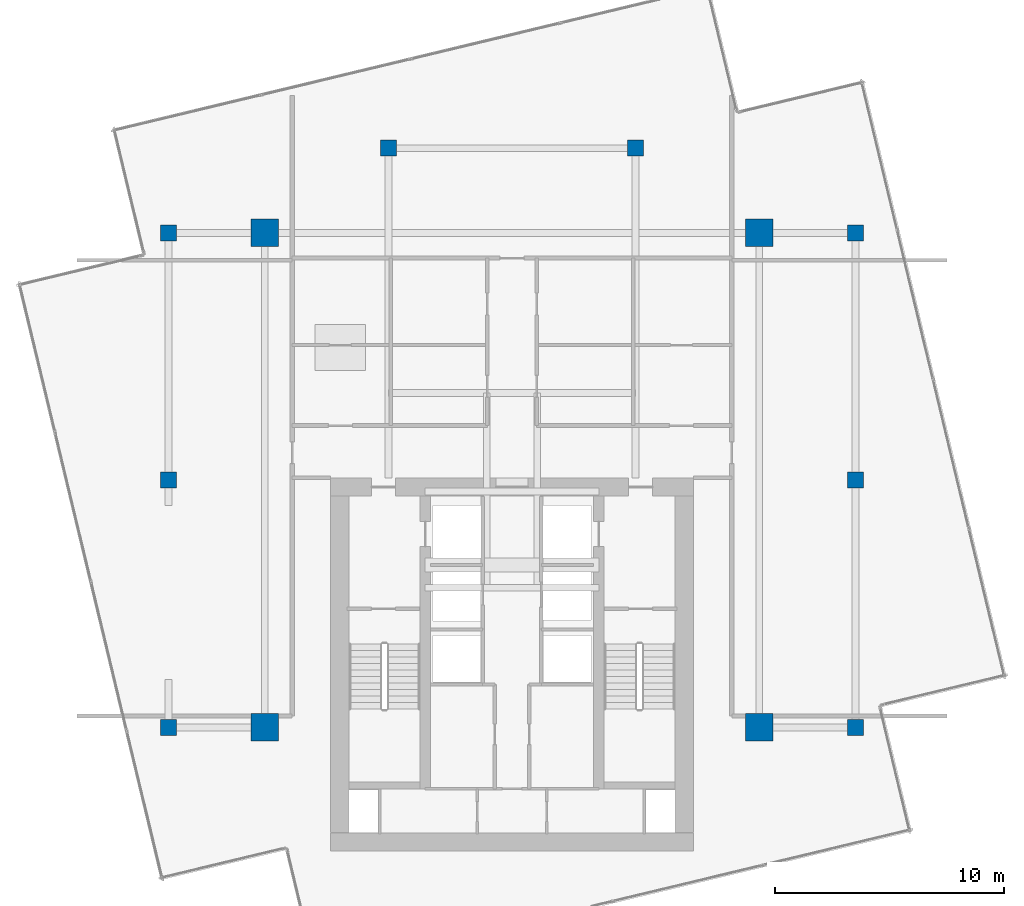
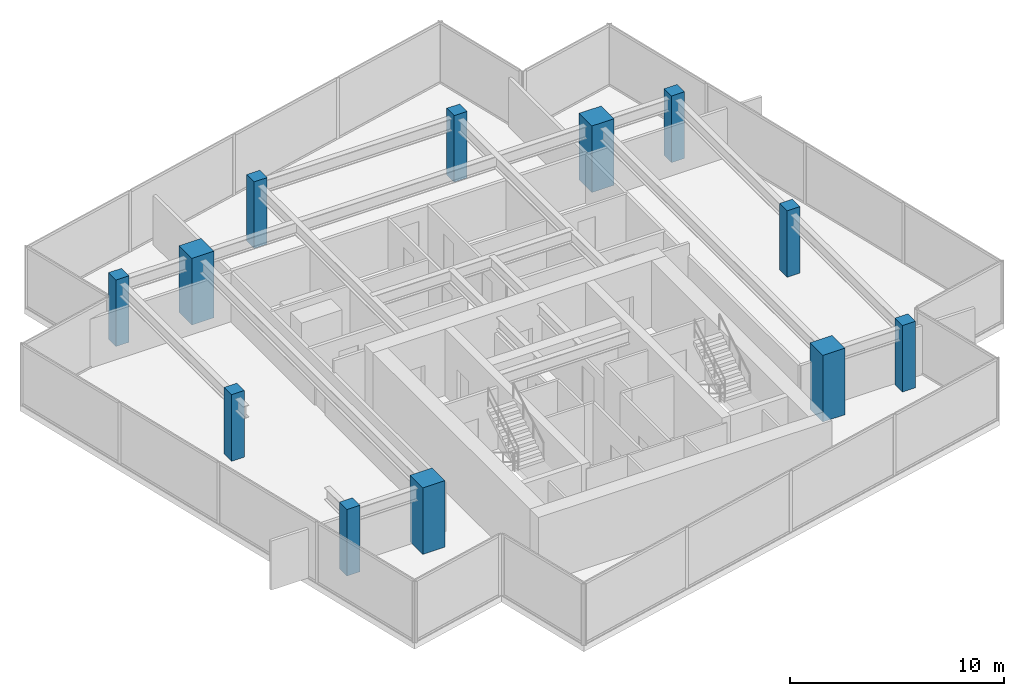
# One storey, part 1 of 19: 12 columns.
"""IFC4 building model written with IfcOpenShell, lengths in metres."""

from ifc_helpers import new_model, si_unit, direction, frame, origin, origin_2d, place, context, subcontext, project, spatial, rectangle, extrude, source, transform, mapped, material, material_profile, profile_set, type_object, type_shapes, element, save


model = new_model("IFC4")

# Units and contexts
model_context = context("Model", 3, precision=1e-05, world=origin(), true_north=direction((0.0, 1.0)))
body_context = subcontext(model_context, "Body", "Model", "MODEL_VIEW")
ifc_project = project(units=[si_unit("LENGTHUNIT", "METRE"), si_unit("AREAUNIT", "SQUARE_METRE"), si_unit("VOLUMEUNIT", "CUBIC_METRE"), si_unit("PLANEANGLEUNIT", "RADIAN"), si_unit("MASSUNIT", "GRAM", prefix="KILO")], contexts=[model_context])

# Site, building, storey
site_placement = place(None, origin())
site = spatial("IfcSite", under=ifc_project, at=site_placement, CompositionType="ELEMENT")
building_placement = place(site_placement, origin())
building = spatial("IfcBuilding", under=site, at=building_placement, Name="Krantzveldt Concourse Tower", CompositionType="ELEMENT")
storey_placement = place(building_placement, frame((0.0, 0.0, 363.25)))
storey = spatial("IfcBuildingStorey", under=building, at=storey_placement, Name="L89", CompositionType="ELEMENT", Elevation=363.25)

# Columns
ifc_material = material(Name="Concrete C50/60", Category="concrete")
ifc_material_profile_1 = material_profile(ifc_material, rectangle(XDim=1.199951171875, YDim=1.199951171875, at=origin_2d()), Name="Concrete C50/60", Category="concrete")
ifc_profile_set_1 = profile_set([ifc_material_profile_1], Name="Concrete C50/60 - RC 1200x1200")
column_type_1 = type_object("IfcColumnType", Name="COL-MC-1200", PredefinedType="USERDEFINED", material=ifc_profile_set_1)
shared_shape_1 = source(origin(), body_context, "Body", "SweptSolid", [
    extrude(rectangle(XDim=1.199951171875, YDim=1.199951171875, at=origin_2d()), origin(), (0.0, 0.0, 1.0), 3.800048828125),
])
type_shapes(column_type_1, [shared_shape_1])
for number, where, z_axis, x_axis, name in (
    (1, (25.199951171875, 15.89990234375, 0.0), (0.0, 0.0, 1.0), (1.0, 0.0, 0.0), "MC-SW-L89"),
    (2, (46.800048828125, 15.89990234375, 0.0), (0.0, 0.0, 1.0), (1.0, 0.0, 0.0), "MC-SE-L89"),
    (3, (46.800048828125, 37.5, 0.0), (0.0, 0.0, 1.0), (1.0, 0.0, 0.0), "MC-NE-L89"),
    (4, (25.199951171875, 37.5, 0.0), (0.0, 0.0, 1.0), (1.0, 0.0, 0.0), "MC-NW-L89"),
):
    element("IfcColumn", number, at=place(storey_placement, frame(where, z_axis=z_axis, x_axis=x_axis)), inside=storey, type_object=column_type_1, Name=name, ObjectType="MEGA COLUMN", PredefinedType="USERDEFINED", context=body_context, shape_type="MappedRepresentation", body=[
        mapped(shared_shape_1, transform((0.0, 0.0, 0.0), x_axis=(1.0, 0.0, 0.0), y_axis=(0.0, 1.0, 0.0), z_axis=(0.0, 0.0, 1.0), scale=1.0)),
    ])
ifc_material_profile_2 = material_profile(ifc_material, rectangle(XDim=0.699951171875, YDim=0.699951171875, at=origin_2d()), Name="Concrete C50/60", Category="concrete")
ifc_profile_set_2 = profile_set([ifc_material_profile_2], Name="Concrete C50/60 - RC 700x700")
column_type_2 = type_object("IfcColumnType", Name="COL-C-Z6", PredefinedType="COLUMN", material=ifc_profile_set_2)
shared_shape_2 = source(origin(), body_context, "Body", "SweptSolid", [
    extrude(rectangle(XDim=0.699951171875, YDim=0.699951171875, at=origin_2d()), origin(), (0.0, 0.0, 1.0), 3.800048828125),
])
type_shapes(column_type_2, [shared_shape_2])
for number, where, z_axis, x_axis, name in (
    (5, (21.0, 15.89990234375, 0.0), (0.0, 0.0, 1.0), (1.0, 0.0, 0.0), "PC-R01-L89"),
    (6, (21.0, 26.699951171875, 0.0), (0.0, 0.0, 1.0), (1.0, 0.0, 0.0), "PC-R02-L89"),
    (7, (21.0, 37.5, 0.0), (0.0, 0.0, 1.0), (1.0, 0.0, 0.0), "PC-R03-L89"),
    (8, (30.60009765625, 41.199951171875, 0.0), (0.0, 0.0, 1.0), (1.0, 0.0, 0.0), "PC-R04-L89"),
    (9, (41.39990234375, 41.199951171875, 0.0), (0.0, 0.0, 1.0), (1.0, 0.0, 0.0), "PC-R05-L89"),
    (10, (51.0, 37.5, 0.0), (0.0, 0.0, 1.0), (1.0, 0.0, 0.0), "PC-R06-L89"),
    (11, (51.0, 26.699951171875, 0.0), (0.0, 0.0, 1.0), (1.0, 0.0, 0.0), "PC-R07-L89"),
    (12, (51.0, 15.89990234375, 0.0), (0.0, 0.0, 1.0), (1.0, 0.0, 0.0), "PC-R08-L89"),
):
    element("IfcColumn", number, at=place(storey_placement, frame(where, z_axis=z_axis, x_axis=x_axis)), inside=storey, type_object=column_type_2, Name=name, PredefinedType="COLUMN", context=body_context, shape_type="MappedRepresentation", body=[
        mapped(shared_shape_2, transform((0.0, 0.0, 0.0), x_axis=(1.0, 0.0, 0.0), y_axis=(0.0, 1.0, 0.0), z_axis=(0.0, 0.0, 1.0), scale=1.0)),
    ])

save(model, "model.ifc")
